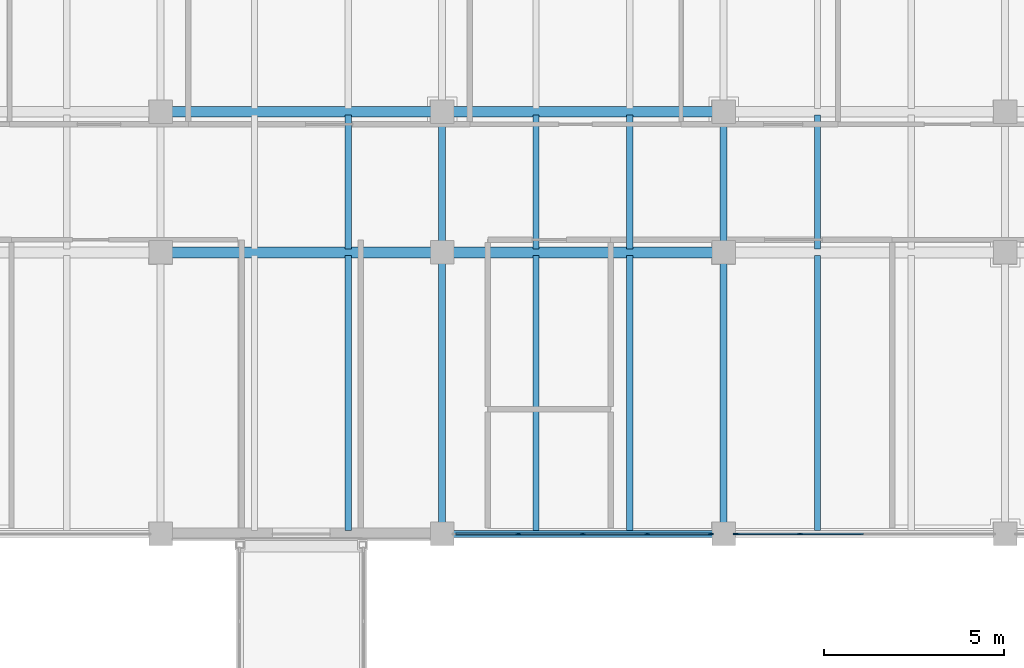
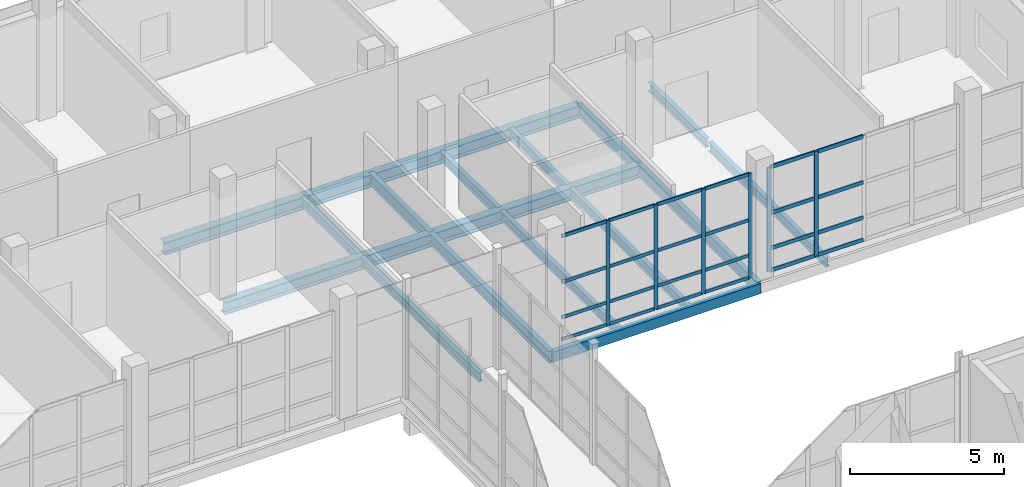
# One storey, part 68 of 131: 30 members, 17 beams, 2 elements without a shape of their own.
"""IFC4 building model written with IfcOpenShell, lengths in metres."""

from ifc_helpers import new_model, si_unit, direction, frame, origin, origin_2d, place, context, subcontext, project, spatial, rectangle, hollow_rectangle, i_section, extrude, material, layer, layer_set, material_profile, profile_set, type_object, element, aggregate, save


model = new_model("IFC4")

# Units and contexts
model_context = context("Model", 3, precision=1e-05, world=origin(), true_north=direction((0.0, 1.0)))
body_context = subcontext(model_context, "Body", "Model", "MODEL_VIEW")
ifc_project = project(units=[si_unit("LENGTHUNIT", "METRE"), si_unit("AREAUNIT", "SQUARE_METRE"), si_unit("VOLUMEUNIT", "CUBIC_METRE"), si_unit("PLANEANGLEUNIT", "RADIAN"), si_unit("MASSUNIT", "GRAM", prefix="KILO")], contexts=[model_context])

# Site, building, storey
site_placement = place(None, origin())
site = spatial("IfcSite", under=ifc_project, at=site_placement, CompositionType="ELEMENT")
building_placement = place(site_placement, origin())
building = spatial("IfcBuilding", under=site, at=building_placement, Name="Celorna Specialist Clinic", CompositionType="ELEMENT")
storey_placement = place(building_placement, origin())
storey = spatial("IfcBuildingStorey", under=building, at=storey_placement, Name="L00", CompositionType="ELEMENT", Elevation=0.0)

# Beams
ifc_material_1 = material(Name="Steel S355", Category="steel")
ifc_material_profile_1 = material_profile(ifc_material_1, i_section(OverallWidth=0.18994140625, OverallDepth=0.449951171875, WebThickness=0.009521484375, FlangeThickness=0.0146484375, at=origin_2d()), Name="IPE 450")
ifc_profile_set_1 = profile_set([ifc_material_profile_1], Name="Steel S355")
beam_type_1 = type_object("IfcBeamType", Name="BM-09", PredefinedType="BEAM", material=ifc_profile_set_1)
beam_1_placement = place(storey_placement, frame((148.199951171875, 96.5, -0.52490234375), z_axis=(0.0, 1.0, 0.0), x_axis=(-1.0, 0.0, 0.0)))
element("IfcBeam", 1, at=beam_1_placement, inside=storey, type_object=beam_type_1, Name="Transverse girder BM-09 #769", PredefinedType="BEAM", context=body_context, shape_type="SweptSolid", body=[
    extrude(i_section(OverallWidth=0.18994140625, OverallDepth=0.449951171875, WebThickness=0.009521484375, FlangeThickness=0.0146484375, at=origin_2d()), origin(), (0.0, 0.0, 1.0), 7.800048828125),
])
beam_2_placement = place(storey_placement, frame((148.199951171875, 104.300048828125, -0.52490234375), z_axis=(0.0, 1.0, 0.0), x_axis=(-1.0, 0.0, 0.0)))
element("IfcBeam", 2, at=beam_2_placement, inside=storey, type_object=beam_type_1, Name="Transverse girder BM-09 #770", PredefinedType="BEAM", context=body_context, shape_type="SweptSolid", body=[
    extrude(i_section(OverallWidth=0.18994140625, OverallDepth=0.449951171875, WebThickness=0.009521484375, FlangeThickness=0.0146484375, at=origin_2d()), origin(), (0.0, 0.0, 1.0), 3.89990234375),
])
beam_3_placement = place(storey_placement, frame((156.0, 96.5, -0.52490234375), z_axis=(0.0, 1.0, 0.0), x_axis=(-1.0, 0.0, 0.0)))
element("IfcBeam", 3, at=beam_3_placement, inside=storey, type_object=beam_type_1, Name="Transverse girder BM-09 #772", PredefinedType="BEAM", context=body_context, shape_type="SweptSolid", body=[
    extrude(i_section(OverallWidth=0.18994140625, OverallDepth=0.449951171875, WebThickness=0.009521484375, FlangeThickness=0.0146484375, at=origin_2d()), origin(), (0.0, 0.0, 1.0), 7.800048828125),
])
beam_4_placement = place(storey_placement, frame((156.0, 104.300048828125, -0.52490234375), z_axis=(0.0, 1.0, 0.0), x_axis=(-1.0, 0.0, 0.0)))
element("IfcBeam", 4, at=beam_4_placement, inside=storey, type_object=beam_type_1, Name="Transverse girder BM-09 #773", PredefinedType="BEAM", context=body_context, shape_type="SweptSolid", body=[
    extrude(i_section(OverallWidth=0.18994140625, OverallDepth=0.449951171875, WebThickness=0.009521484375, FlangeThickness=0.0146484375, at=origin_2d()), origin(), (0.0, 0.0, 1.0), 3.89990234375),
])
ifc_material_profile_2 = material_profile(ifc_material_1, i_section(OverallWidth=0.169921875, OverallDepth=0.360107421875, WebThickness=0.008056640625, FlangeThickness=0.0126953125, at=origin_2d()), Name="IPE 360")
ifc_profile_set_2 = profile_set([ifc_material_profile_2], Name="Steel S355")
beam_type_2 = type_object("IfcBeamType", Name="BM-11", PredefinedType="JOIST", material=ifc_profile_set_2)
beam_5_placement = place(storey_placement, frame((145.60009765625, 96.587890625, -0.47998046875), z_axis=(0.0, 1.0, 0.0), x_axis=(-1.0, 0.0, 0.0)))
element("IfcBeam", 5, at=beam_5_placement, inside=storey, type_object=beam_type_2, Name="Secondary floor joist BM-11 #849", PredefinedType="JOIST", context=body_context, shape_type="SweptSolid", body=[
    extrude(i_section(OverallWidth=0.169921875, OverallDepth=0.360107421875, WebThickness=0.008056640625, FlangeThickness=0.0126953125, at=origin_2d()), origin(), (0.0, 0.0, 1.0), 7.6240234375),
])
beam_6_placement = place(storey_placement, frame((145.60009765625, 104.387939453125, -0.47998046875), z_axis=(0.0, 1.0, 0.0), x_axis=(-1.0, 0.0, 0.0)))
element("IfcBeam", 6, at=beam_6_placement, inside=storey, type_object=beam_type_2, Name="Secondary floor joist BM-11 #851", PredefinedType="JOIST", context=body_context, shape_type="SweptSolid", body=[
    extrude(i_section(OverallWidth=0.169921875, OverallDepth=0.360107421875, WebThickness=0.008056640625, FlangeThickness=0.0126953125, at=origin_2d()), origin(), (0.0, 0.0, 1.0), 3.72412109375),
])
for number, where, z_axis, x_axis, name in (
    (7, (150.800048828125, 96.587890625, -0.47998046875), (0.0, 1.0, 0.0), (-1.0, 0.0, 0.0), "Secondary floor joist BM-11 #854"),
    (8, (153.39990234375, 96.587890625, -0.47998046875), (0.0, 1.0, 0.0), (-1.0, 0.0, 0.0), "Secondary floor joist BM-11 #855"),
):
    element("IfcBeam", number, at=place(storey_placement, frame(where, z_axis=z_axis, x_axis=x_axis)), inside=storey, type_object=beam_type_2, Name=name, PredefinedType="JOIST", context=body_context, shape_type="SweptSolid", body=[
        extrude(i_section(OverallWidth=0.169921875, OverallDepth=0.360107421875, WebThickness=0.008056640625, FlangeThickness=0.0126953125, at=origin_2d()), origin(), (0.0, 0.0, 1.0), 7.6240234375),
    ])
for number, where, z_axis, x_axis, name in (
    (9, (150.800048828125, 104.387939453125, -0.47998046875), (0.0, 1.0, 0.0), (-1.0, 0.0, 0.0), "Secondary floor joist BM-11 #856"),
    (10, (153.39990234375, 104.387939453125, -0.47998046875), (0.0, 1.0, 0.0), (-1.0, 0.0, 0.0), "Secondary floor joist BM-11 #857"),
):
    element("IfcBeam", number, at=place(storey_placement, frame(where, z_axis=z_axis, x_axis=x_axis)), inside=storey, type_object=beam_type_2, Name=name, PredefinedType="JOIST", context=body_context, shape_type="SweptSolid", body=[
        extrude(i_section(OverallWidth=0.169921875, OverallDepth=0.360107421875, WebThickness=0.008056640625, FlangeThickness=0.0126953125, at=origin_2d()), origin(), (0.0, 0.0, 1.0), 3.72412109375),
    ])
beam_7_placement = place(storey_placement, frame((158.60009765625, 96.587890625, -0.47998046875), z_axis=(0.0, 1.0, 0.0), x_axis=(-1.0, 0.0, 0.0)))
element("IfcBeam", 11, at=beam_7_placement, inside=storey, type_object=beam_type_2, Name="Secondary floor joist BM-11 #860", PredefinedType="JOIST", context=body_context, shape_type="SweptSolid", body=[
    extrude(i_section(OverallWidth=0.169921875, OverallDepth=0.360107421875, WebThickness=0.008056640625, FlangeThickness=0.0126953125, at=origin_2d()), origin(), (0.0, 0.0, 1.0), 7.6240234375),
])
beam_8_placement = place(storey_placement, frame((158.60009765625, 104.387939453125, -0.47998046875), z_axis=(0.0, 1.0, 0.0), x_axis=(-1.0, 0.0, 0.0)))
element("IfcBeam", 12, at=beam_8_placement, inside=storey, type_object=beam_type_2, Name="Secondary floor joist BM-11 #862", PredefinedType="JOIST", context=body_context, shape_type="SweptSolid", body=[
    extrude(i_section(OverallWidth=0.169921875, OverallDepth=0.360107421875, WebThickness=0.008056640625, FlangeThickness=0.0126953125, at=origin_2d()), origin(), (0.0, 0.0, 1.0), 3.72412109375),
])
ifc_material_profile_3 = material_profile(ifc_material_1, hollow_rectangle(XDim=0.199951171875, YDim=0.39990234375, WallThickness=0.011962890625, at=origin_2d()), Name="RHS 200x400x12")
ifc_profile_set_3 = profile_set([ifc_material_profile_3], Name="Steel S355")
beam_type_3 = type_object("IfcBeamType", Name="BM-15", PredefinedType="SPANDREL", material=ifc_profile_set_3)
beam_9_placement = place(storey_placement, frame((148.199951171875, 96.5, -0.5), z_axis=(1.0, 0.0, 0.0), x_axis=(0.0, 1.0, 0.0)))
element("IfcBeam", 13, at=beam_9_placement, inside=storey, type_object=beam_type_3, Name="Spandrel beam BM-15 #679", PredefinedType="SPANDREL", context=body_context, shape_type="SweptSolid", body=[
    extrude(hollow_rectangle(XDim=0.199951171875, YDim=0.39990234375, WallThickness=0.011962890625, at=origin_2d()), origin(), (0.0, 0.0, 1.0), 7.800048828125),
])
ifc_material_profile_4 = material_profile(ifc_material_1, i_section(OverallWidth=0.300048828125, OverallDepth=0.489990234375, WebThickness=0.011962890625, FlangeThickness=0.02294921875, at=origin_2d()), Name="HE 500 A")
ifc_profile_set_4 = profile_set([ifc_material_profile_4], Name="Steel S355")
beam_type_4 = type_object("IfcBeamType", Name="BM-22", PredefinedType="BEAM", material=ifc_profile_set_4)
for number, where, z_axis, x_axis, name in (
    (14, (140.39990234375, 104.300048828125, -0.544921875), (1.0, 0.0, 0.0), (0.0, 1.0, 0.0), "Primary girder BM-22 #694"),
    (15, (148.199951171875, 104.300048828125, -0.544921875), (1.0, 0.0, 0.0), (0.0, 1.0, 0.0), "Primary girder BM-22 #695"),
    (16, (140.39990234375, 108.199951171875, -0.544921875), (1.0, 0.0, 0.0), (0.0, 1.0, 0.0), "Primary girder BM-22 #710"),
    (17, (148.199951171875, 108.199951171875, -0.544921875), (1.0, 0.0, 0.0), (0.0, 1.0, 0.0), "Primary girder BM-22 #711"),
):
    element("IfcBeam", number, at=place(storey_placement, frame(where, z_axis=z_axis, x_axis=x_axis)), inside=storey, type_object=beam_type_4, Name=name, PredefinedType="BEAM", context=body_context, shape_type="SweptSolid", body=[
        extrude(i_section(OverallWidth=0.300048828125, OverallDepth=0.489990234375, WebThickness=0.011962890625, FlangeThickness=0.02294921875, at=origin_2d()), origin(), (0.0, 0.0, 1.0), 7.800048828125),
    ])

# Curtain wall, members
ifc_material_2 = material(Name="Thermally broken aluminium and solar-control glass curtain wall", Category="aluminium")
ifc_layer_1 = layer(ifc_material_2, 0.159912109375, Name="Thermally broken aluminium and solar-control glass curtain wall")
ifc_layer_set_1 = layer_set([ifc_layer_1], Name="Thermally broken aluminium and solar-control glass curtain wall")
curtain_wall_type_1 = type_object("IfcCurtainWallType", Name="CW-48", PredefinedType="NOTDEFINED", material=ifc_layer_set_1)
curtain_wall_1_placement = place(storey_placement, origin())
curtain_wall_1 = element("IfcCurtainWall", 18, at=curtain_wall_1_placement, inside=storey, type_object=curtain_wall_type_1, Name="Curtain wall CW-48 #102", PredefinedType="NOTDEFINED")
ifc_material_3 = material(Name="Anodized aluminium mullion", Category="aluminium")
ifc_material_profile_5 = material_profile(ifc_material_3, rectangle(XDim=0.050048828125, YDim=0.159912109375, at=origin_2d()), Name="ALU MULLION 50x160")
ifc_profile_set_5 = profile_set([ifc_material_profile_5], Name="Anodized aluminium mullion")
member_type_1 = type_object("IfcMemberType", Name="ML-01", PredefinedType="MULLION", material=ifc_profile_set_5)
member_1_placement = place(storey_placement, frame((158.114501953125, 96.5, 0.0), z_axis=(0.0, 0.0, 1.0), x_axis=(0.0, -1.0, 0.0)))
member_1 = element("IfcMember", 19, at=member_1_placement, type_object=member_type_1, Name="CW-48 mullion 4", PredefinedType="MULLION", context=body_context, shape_type="SweptSolid", body=[
    extrude(rectangle(XDim=0.050048828125, YDim=0.159912109375, at=origin_2d()), origin(), (0.0, 0.0, 1.0), 4.139892578125),
])
member_2_placement = place(storey_placement, frame((156.35400390625, 96.5, 0.0), z_axis=(0.0, 0.0, 1.0), x_axis=(0.0, -1.0, 0.0)))
member_2 = element("IfcMember", 20, at=member_2_placement, type_object=member_type_1, Name="CW-48 mullion 5", PredefinedType="MULLION", context=body_context, shape_type="SweptSolid", body=[
    extrude(rectangle(XDim=0.050048828125, YDim=0.159912109375, at=origin_2d()), origin(), (0.0, 0.0, 1.0), 4.139892578125),
])

ifc_layer_2 = layer(ifc_material_2, 0.159912109375, Name="Thermally broken aluminium and solar-control glass curtain wall")
ifc_layer_set_2 = layer_set([ifc_layer_2], Name="Thermally broken aluminium and solar-control glass curtain wall")
curtain_wall_type_2 = type_object("IfcCurtainWallType", Name="CW-47", PredefinedType="NOTDEFINED", material=ifc_layer_set_2)
curtain_wall_2_placement = place(storey_placement, origin())
curtain_wall_2 = element("IfcCurtainWall", 21, at=curtain_wall_2_placement, inside=storey, type_object=curtain_wall_type_2, Name="Curtain wall CW-47 #101", PredefinedType="NOTDEFINED")
ifc_material_profile_6 = material_profile(ifc_material_3, rectangle(XDim=0.050048828125, YDim=0.139892578125, at=origin_2d()), Name="ALU MULLION 50x140")
ifc_profile_set_6 = profile_set([ifc_material_profile_6], Name="Anodized aluminium mullion")
member_type_2 = type_object("IfcMemberType", Name="ML-03", PredefinedType="MULLION", material=ifc_profile_set_6)
member_3_placement = place(storey_placement, frame((155.64599609375, 96.5, 0.0), z_axis=(0.0, 0.0, 1.0), x_axis=(0.0, -1.0, 0.0)))
member_3 = element("IfcMember", 22, at=member_3_placement, type_object=member_type_2, Name="CW-47 mullion 1", PredefinedType="MULLION", context=body_context, shape_type="SweptSolid", body=[
    extrude(rectangle(XDim=0.050048828125, YDim=0.139892578125, at=origin_2d()), origin(), (0.0, 0.0, 1.0), 4.139892578125),
])
member_4_placement = place(storey_placement, frame((153.885498046875, 96.5, 0.0), z_axis=(0.0, 0.0, 1.0), x_axis=(0.0, -1.0, 0.0)))
member_4 = element("IfcMember", 23, at=member_4_placement, type_object=member_type_2, Name="CW-47 mullion 2", PredefinedType="MULLION", context=body_context, shape_type="SweptSolid", body=[
    extrude(rectangle(XDim=0.050048828125, YDim=0.139892578125, at=origin_2d()), origin(), (0.0, 0.0, 1.0), 4.139892578125),
])
member_5_placement = place(storey_placement, frame((152.10009765625, 96.5, 0.0), z_axis=(0.0, 0.0, 1.0), x_axis=(0.0, -1.0, 0.0)))
member_5 = element("IfcMember", 24, at=member_5_placement, type_object=member_type_2, Name="CW-47 mullion 3", PredefinedType="MULLION", context=body_context, shape_type="SweptSolid", body=[
    extrude(rectangle(XDim=0.050048828125, YDim=0.139892578125, at=origin_2d()), origin(), (0.0, 0.0, 1.0), 4.139892578125),
])
member_6_placement = place(storey_placement, frame((150.314453125, 96.5, 0.0), z_axis=(0.0, 0.0, 1.0), x_axis=(0.0, -1.0, 0.0)))
member_6 = element("IfcMember", 25, at=member_6_placement, type_object=member_type_2, Name="CW-47 mullion 4", PredefinedType="MULLION", context=body_context, shape_type="SweptSolid", body=[
    extrude(rectangle(XDim=0.050048828125, YDim=0.139892578125, at=origin_2d()), origin(), (0.0, 0.0, 1.0), 4.139892578125),
])
ifc_material_4 = material(Name="Anodized aluminium transom", Category="aluminium")
ifc_material_profile_7 = material_profile(ifc_material_4, rectangle(XDim=0.050048828125, YDim=0.1298828125, at=origin_2d()), Name="ALU TRANSOM 50x130")
ifc_profile_set_7 = profile_set([ifc_material_profile_7], Name="Anodized aluminium transom")
member_type_3 = type_object("IfcMemberType", Name="TR-01", PredefinedType="USERDEFINED", material=ifc_profile_set_7)
member_7_placement = place(storey_placement, frame((155.62109375, 96.5, 0.02490234375), z_axis=(-1.0, 0.0, 0.0), x_axis=(0.0, -1.0, 0.0)))
member_7 = element("IfcMember", 26, at=member_7_placement, type_object=member_type_3, Name="CW-47 transom 1.1", ObjectType="TRANSOM", PredefinedType="USERDEFINED", context=body_context, shape_type="SweptSolid", body=[
    extrude(rectangle(XDim=0.050048828125, YDim=0.1298828125, at=origin_2d()), origin(), (0.0, 0.0, 1.0), 1.710693359375),
])
member_8_placement = place(storey_placement, frame((155.62109375, 96.5, 0.89990234375), z_axis=(-1.0, 0.0, 0.0), x_axis=(0.0, -1.0, 0.0)))
member_8 = element("IfcMember", 27, at=member_8_placement, type_object=member_type_3, Name="CW-47 transom 1.2", ObjectType="TRANSOM", PredefinedType="USERDEFINED", context=body_context, shape_type="SweptSolid", body=[
    extrude(rectangle(XDim=0.050048828125, YDim=0.1298828125, at=origin_2d()), origin(), (0.0, 0.0, 1.0), 1.710693359375),
])
member_9_placement = place(storey_placement, frame((155.62109375, 96.5, 2.300048828125), z_axis=(-1.0, 0.0, 0.0), x_axis=(0.0, -1.0, 0.0)))
member_9 = element("IfcMember", 28, at=member_9_placement, type_object=member_type_3, Name="CW-47 transom 1.3", ObjectType="TRANSOM", PredefinedType="USERDEFINED", context=body_context, shape_type="SweptSolid", body=[
    extrude(rectangle(XDim=0.050048828125, YDim=0.1298828125, at=origin_2d()), origin(), (0.0, 0.0, 1.0), 1.710693359375),
])
member_10_placement = place(storey_placement, frame((155.62109375, 96.5, 4.114990234375), z_axis=(-1.0, 0.0, 0.0), x_axis=(0.0, -1.0, 0.0)))
member_10 = element("IfcMember", 29, at=member_10_placement, type_object=member_type_3, Name="CW-47 transom 1.4", ObjectType="TRANSOM", PredefinedType="USERDEFINED", context=body_context, shape_type="SweptSolid", body=[
    extrude(rectangle(XDim=0.050048828125, YDim=0.1298828125, at=origin_2d()), origin(), (0.0, 0.0, 1.0), 1.710693359375),
])
member_11_placement = place(storey_placement, frame((153.860595703125, 96.5, 0.02490234375), z_axis=(-1.0, 0.0, 0.0), x_axis=(0.0, -1.0, 0.0)))
member_11 = element("IfcMember", 30, at=member_11_placement, type_object=member_type_3, Name="CW-47 transom 2.1", ObjectType="TRANSOM", PredefinedType="USERDEFINED", context=body_context, shape_type="SweptSolid", body=[
    extrude(rectangle(XDim=0.050048828125, YDim=0.1298828125, at=origin_2d()), origin(), (0.0, 0.0, 1.0), 1.735595703125),
])
member_12_placement = place(storey_placement, frame((153.860595703125, 96.5, 0.89990234375), z_axis=(-1.0, 0.0, 0.0), x_axis=(0.0, -1.0, 0.0)))
member_12 = element("IfcMember", 31, at=member_12_placement, type_object=member_type_3, Name="CW-47 transom 2.2", ObjectType="TRANSOM", PredefinedType="USERDEFINED", context=body_context, shape_type="SweptSolid", body=[
    extrude(rectangle(XDim=0.050048828125, YDim=0.1298828125, at=origin_2d()), origin(), (0.0, 0.0, 1.0), 1.735595703125),
])
member_13_placement = place(storey_placement, frame((153.860595703125, 96.5, 2.300048828125), z_axis=(-1.0, 0.0, 0.0), x_axis=(0.0, -1.0, 0.0)))
member_13 = element("IfcMember", 32, at=member_13_placement, type_object=member_type_3, Name="CW-47 transom 2.3", ObjectType="TRANSOM", PredefinedType="USERDEFINED", context=body_context, shape_type="SweptSolid", body=[
    extrude(rectangle(XDim=0.050048828125, YDim=0.1298828125, at=origin_2d()), origin(), (0.0, 0.0, 1.0), 1.735595703125),
])
member_14_placement = place(storey_placement, frame((153.860595703125, 96.5, 4.114990234375), z_axis=(-1.0, 0.0, 0.0), x_axis=(0.0, -1.0, 0.0)))
member_14 = element("IfcMember", 33, at=member_14_placement, type_object=member_type_3, Name="CW-47 transom 2.4", ObjectType="TRANSOM", PredefinedType="USERDEFINED", context=body_context, shape_type="SweptSolid", body=[
    extrude(rectangle(XDim=0.050048828125, YDim=0.1298828125, at=origin_2d()), origin(), (0.0, 0.0, 1.0), 1.735595703125),
])
member_15_placement = place(storey_placement, frame((152.074951171875, 96.5, 0.02490234375), z_axis=(-1.0, 0.0, 0.0), x_axis=(0.0, -1.0, 0.0)))
member_15 = element("IfcMember", 34, at=member_15_placement, type_object=member_type_3, Name="CW-47 transom 3.1", ObjectType="TRANSOM", PredefinedType="USERDEFINED", context=body_context, shape_type="SweptSolid", body=[
    extrude(rectangle(XDim=0.050048828125, YDim=0.1298828125, at=origin_2d()), origin(), (0.0, 0.0, 1.0), 1.7353515625),
])
member_16_placement = place(storey_placement, frame((152.074951171875, 96.5, 0.89990234375), z_axis=(-1.0, 0.0, 0.0), x_axis=(0.0, -1.0, 0.0)))
member_16 = element("IfcMember", 35, at=member_16_placement, type_object=member_type_3, Name="CW-47 transom 3.2", ObjectType="TRANSOM", PredefinedType="USERDEFINED", context=body_context, shape_type="SweptSolid", body=[
    extrude(rectangle(XDim=0.050048828125, YDim=0.1298828125, at=origin_2d()), origin(), (0.0, 0.0, 1.0), 1.7353515625),
])
member_17_placement = place(storey_placement, frame((152.074951171875, 96.5, 2.300048828125), z_axis=(-1.0, 0.0, 0.0), x_axis=(0.0, -1.0, 0.0)))
member_17 = element("IfcMember", 36, at=member_17_placement, type_object=member_type_3, Name="CW-47 transom 3.3", ObjectType="TRANSOM", PredefinedType="USERDEFINED", context=body_context, shape_type="SweptSolid", body=[
    extrude(rectangle(XDim=0.050048828125, YDim=0.1298828125, at=origin_2d()), origin(), (0.0, 0.0, 1.0), 1.7353515625),
])
member_18_placement = place(storey_placement, frame((152.074951171875, 96.5, 4.114990234375), z_axis=(-1.0, 0.0, 0.0), x_axis=(0.0, -1.0, 0.0)))
member_18 = element("IfcMember", 37, at=member_18_placement, type_object=member_type_3, Name="CW-47 transom 3.4", ObjectType="TRANSOM", PredefinedType="USERDEFINED", context=body_context, shape_type="SweptSolid", body=[
    extrude(rectangle(XDim=0.050048828125, YDim=0.1298828125, at=origin_2d()), origin(), (0.0, 0.0, 1.0), 1.7353515625),
])
member_19_placement = place(storey_placement, frame((150.28955078125, 96.5, 0.02490234375), z_axis=(-1.0, 0.0, 0.0), x_axis=(0.0, -1.0, 0.0)))
member_19 = element("IfcMember", 38, at=member_19_placement, type_object=member_type_3, Name="CW-47 transom 4.1", ObjectType="TRANSOM", PredefinedType="USERDEFINED", context=body_context, shape_type="SweptSolid", body=[
    extrude(rectangle(XDim=0.050048828125, YDim=0.1298828125, at=origin_2d()), origin(), (0.0, 0.0, 1.0), 1.71044921875),
])
member_20_placement = place(storey_placement, frame((150.28955078125, 96.5, 0.89990234375), z_axis=(-1.0, 0.0, 0.0), x_axis=(0.0, -1.0, 0.0)))
member_20 = element("IfcMember", 39, at=member_20_placement, type_object=member_type_3, Name="CW-47 transom 4.2", ObjectType="TRANSOM", PredefinedType="USERDEFINED", context=body_context, shape_type="SweptSolid", body=[
    extrude(rectangle(XDim=0.050048828125, YDim=0.1298828125, at=origin_2d()), origin(), (0.0, 0.0, 1.0), 1.71044921875),
])
member_21_placement = place(storey_placement, frame((150.28955078125, 96.5, 2.300048828125), z_axis=(-1.0, 0.0, 0.0), x_axis=(0.0, -1.0, 0.0)))
member_21 = element("IfcMember", 40, at=member_21_placement, type_object=member_type_3, Name="CW-47 transom 4.3", ObjectType="TRANSOM", PredefinedType="USERDEFINED", context=body_context, shape_type="SweptSolid", body=[
    extrude(rectangle(XDim=0.050048828125, YDim=0.1298828125, at=origin_2d()), origin(), (0.0, 0.0, 1.0), 1.71044921875),
])
member_22_placement = place(storey_placement, frame((150.28955078125, 96.5, 4.114990234375), z_axis=(-1.0, 0.0, 0.0), x_axis=(0.0, -1.0, 0.0)))
member_22 = element("IfcMember", 41, at=member_22_placement, type_object=member_type_3, Name="CW-47 transom 4.4", ObjectType="TRANSOM", PredefinedType="USERDEFINED", context=body_context, shape_type="SweptSolid", body=[
    extrude(rectangle(XDim=0.050048828125, YDim=0.1298828125, at=origin_2d()), origin(), (0.0, 0.0, 1.0), 1.71044921875),
])
aggregate(curtain_wall_2, [member_3, member_4, member_5, member_6, member_7, member_8, member_9, member_10, member_11, member_12, member_13, member_14, member_15, member_16, member_17, member_18, member_19, member_20, member_21, member_22])

# Member
ifc_material_profile_8 = material_profile(ifc_material_4, rectangle(XDim=0.050048828125, YDim=0.14990234375, at=origin_2d()), Name="ALU TRANSOM 50x150")
ifc_profile_set_8 = profile_set([ifc_material_profile_8], Name="Anodized aluminium transom")
member_type_4 = type_object("IfcMemberType", Name="TR-02", PredefinedType="USERDEFINED", material=ifc_profile_set_8)
member_23_placement = place(storey_placement, frame((159.875, 96.5, 0.02490234375), z_axis=(-1.0, 0.0, 0.0), x_axis=(0.0, -1.0, 0.0)))
member_23 = element("IfcMember", 42, at=member_23_placement, type_object=member_type_4, Name="CW-48 transom 3.1", ObjectType="TRANSOM", PredefinedType="USERDEFINED", context=body_context, shape_type="SweptSolid", body=[
    extrude(rectangle(XDim=0.050048828125, YDim=0.14990234375, at=origin_2d()), origin(), (0.0, 0.0, 1.0), 1.735595703125),
])

member_24_placement = place(storey_placement, frame((159.875, 96.5, 0.89990234375), z_axis=(-1.0, 0.0, 0.0), x_axis=(0.0, -1.0, 0.0)))
member_24 = element("IfcMember", 43, at=member_24_placement, type_object=member_type_4, Name="CW-48 transom 3.2", ObjectType="TRANSOM", PredefinedType="USERDEFINED", context=body_context, shape_type="SweptSolid", body=[
    extrude(rectangle(XDim=0.050048828125, YDim=0.14990234375, at=origin_2d()), origin(), (0.0, 0.0, 1.0), 1.735595703125),
])

member_25_placement = place(storey_placement, frame((159.875, 96.5, 2.300048828125), z_axis=(-1.0, 0.0, 0.0), x_axis=(0.0, -1.0, 0.0)))
member_25 = element("IfcMember", 44, at=member_25_placement, type_object=member_type_4, Name="CW-48 transom 3.3", ObjectType="TRANSOM", PredefinedType="USERDEFINED", context=body_context, shape_type="SweptSolid", body=[
    extrude(rectangle(XDim=0.050048828125, YDim=0.14990234375, at=origin_2d()), origin(), (0.0, 0.0, 1.0), 1.735595703125),
])

member_26_placement = place(storey_placement, frame((159.875, 96.5, 4.114990234375), z_axis=(-1.0, 0.0, 0.0), x_axis=(0.0, -1.0, 0.0)))
member_26 = element("IfcMember", 45, at=member_26_placement, type_object=member_type_4, Name="CW-48 transom 3.4", ObjectType="TRANSOM", PredefinedType="USERDEFINED", context=body_context, shape_type="SweptSolid", body=[
    extrude(rectangle(XDim=0.050048828125, YDim=0.14990234375, at=origin_2d()), origin(), (0.0, 0.0, 1.0), 1.735595703125),
])

member_27_placement = place(storey_placement, frame((158.089599609375, 96.5, 0.02490234375), z_axis=(-1.0, 0.0, 0.0), x_axis=(0.0, -1.0, 0.0)))
member_27 = element("IfcMember", 46, at=member_27_placement, type_object=member_type_4, Name="CW-48 transom 4.1", ObjectType="TRANSOM", PredefinedType="USERDEFINED", context=body_context, shape_type="SweptSolid", body=[
    extrude(rectangle(XDim=0.050048828125, YDim=0.14990234375, at=origin_2d()), origin(), (0.0, 0.0, 1.0), 1.710693359375),
])

member_28_placement = place(storey_placement, frame((158.089599609375, 96.5, 0.89990234375), z_axis=(-1.0, 0.0, 0.0), x_axis=(0.0, -1.0, 0.0)))
member_28 = element("IfcMember", 47, at=member_28_placement, type_object=member_type_4, Name="CW-48 transom 4.2", ObjectType="TRANSOM", PredefinedType="USERDEFINED", context=body_context, shape_type="SweptSolid", body=[
    extrude(rectangle(XDim=0.050048828125, YDim=0.14990234375, at=origin_2d()), origin(), (0.0, 0.0, 1.0), 1.710693359375),
])

member_29_placement = place(storey_placement, frame((158.089599609375, 96.5, 2.300048828125), z_axis=(-1.0, 0.0, 0.0), x_axis=(0.0, -1.0, 0.0)))
member_29 = element("IfcMember", 48, at=member_29_placement, type_object=member_type_4, Name="CW-48 transom 4.3", ObjectType="TRANSOM", PredefinedType="USERDEFINED", context=body_context, shape_type="SweptSolid", body=[
    extrude(rectangle(XDim=0.050048828125, YDim=0.14990234375, at=origin_2d()), origin(), (0.0, 0.0, 1.0), 1.710693359375),
])

member_30_placement = place(storey_placement, frame((158.089599609375, 96.5, 4.114990234375), z_axis=(-1.0, 0.0, 0.0), x_axis=(0.0, -1.0, 0.0)))
member_30 = element("IfcMember", 49, at=member_30_placement, type_object=member_type_4, Name="CW-48 transom 4.4", ObjectType="TRANSOM", PredefinedType="USERDEFINED", context=body_context, shape_type="SweptSolid", body=[
    extrude(rectangle(XDim=0.050048828125, YDim=0.14990234375, at=origin_2d()), origin(), (0.0, 0.0, 1.0), 1.710693359375),
])

aggregate(curtain_wall_1, [member_1, member_2, member_23, member_24, member_25, member_26, member_27, member_28, member_29, member_30])

save(model, "model.ifc")
